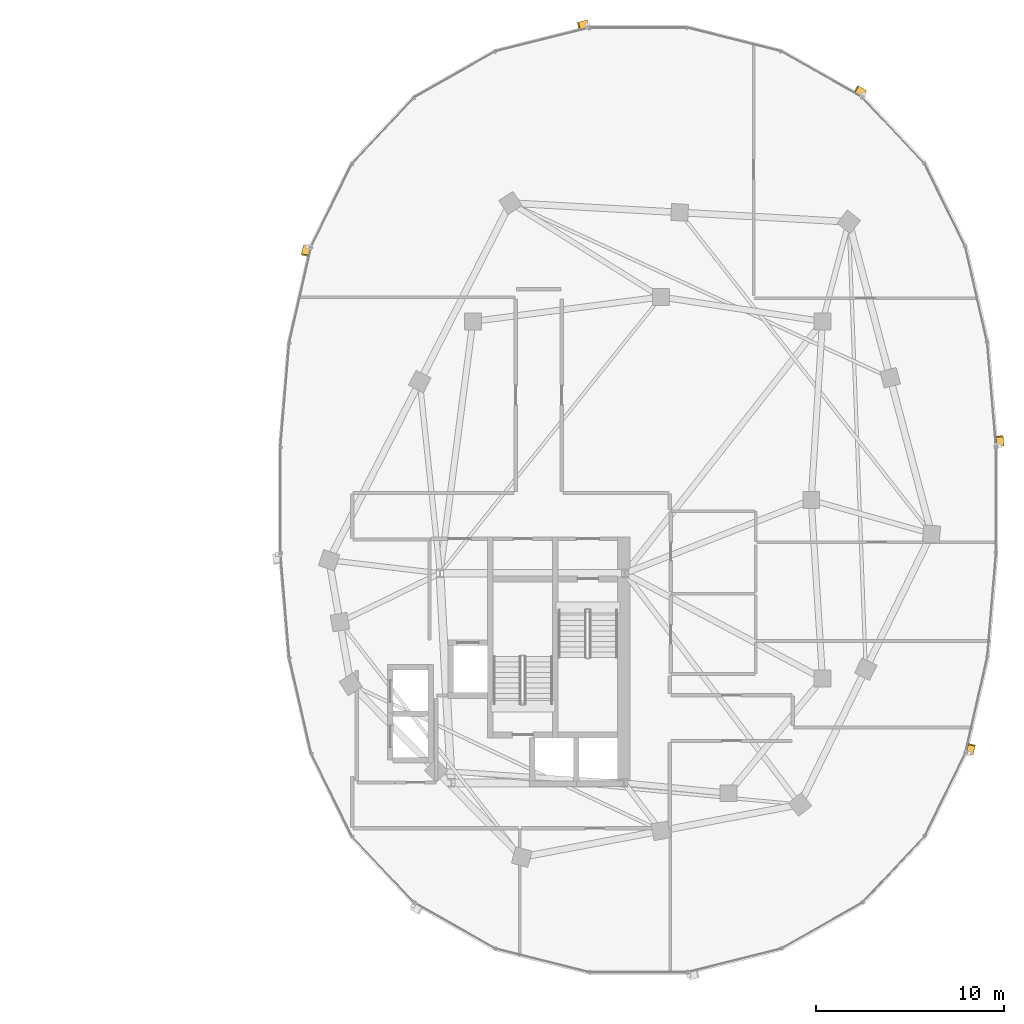
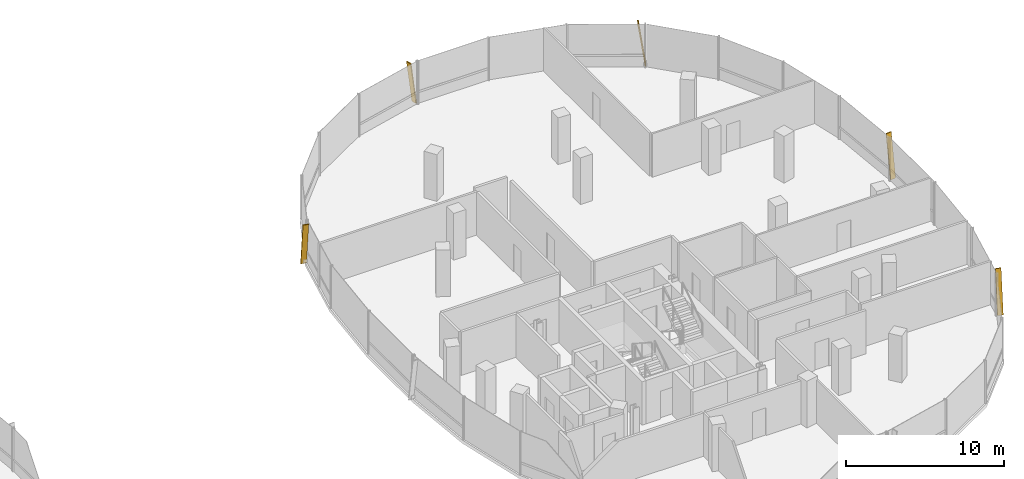
# One storey, part 25 of 25: 5 shading devices.
"""IFC4 building model written with IfcOpenShell, lengths in metres."""

from ifc_helpers import new_model, si_unit, direction, frame, origin, origin_2d, place, context, subcontext, project, spatial, rectangle, extrude, material, material_profile, profile_set, type_object, element, save


model = new_model("IFC4")

# Units and contexts
model_context = context("Model", 3, precision=1e-05, world=origin(), true_north=direction((0.0, 1.0)))
body_context = subcontext(model_context, "Body", "Model", "MODEL_VIEW")
ifc_project = project(units=[si_unit("LENGTHUNIT", "METRE"), si_unit("AREAUNIT", "SQUARE_METRE"), si_unit("VOLUMEUNIT", "CUBIC_METRE"), si_unit("PLANEANGLEUNIT", "RADIAN"), si_unit("MASSUNIT", "GRAM", prefix="KILO"), si_unit("THERMODYNAMICTEMPERATUREUNIT", "KELVIN"), si_unit("POWERUNIT", "WATT")], contexts=[model_context])

# Site, building, storey
site_placement = place(None, origin())
site = spatial("IfcSite", under=ifc_project, at=site_placement, CompositionType="ELEMENT")
building_placement = place(site_placement, origin())
building = spatial("IfcBuilding", under=site, at=building_placement, Name="Cundina Bronze Exchange", CompositionType="ELEMENT")
storey_placement = place(building_placement, frame((0.0, 0.0, 217.0)))
storey = spatial("IfcBuildingStorey", under=building, at=storey_placement, Name="L57", CompositionType="ELEMENT", Elevation=217.0)

# Shading devices
ifc_material = material(Name="Anodised Bronze Aluminium 6063-T6", Category="aluminium")
ifc_material_profile = material_profile(ifc_material, rectangle(XDim=0.070068359375, YDim=0.3798828125, at=origin_2d()), Name="FIN70X380", Category="aluminium")
ifc_profile_set = profile_set([ifc_material_profile], Name="Anodised Bronze Aluminium 6063-T6")
shading_device_type = type_object("IfcShadingDeviceType", Name="SHD-FIN-BRZ380", PredefinedType="USERDEFINED", material=ifc_profile_set)
for number, where, z_axis, x_axis, name in (
    (1, (51.264404296875, 2.90283203125, 0.02001953125), (-0.012006555776, 0.143419772964, 0.98958911238), (0.082555834947, -0.986139516224, 0.143921466983), "L57 Diagonal Bronze Solar Fin 1"),
    (2, (44.015625, 21.635498046875, 0.02001953125), (-0.125189514072, 0.071087145125, 0.989582843103), (0.860526986551, -0.488638423358, 0.143964567292), "L57 Diagonal Bronze Solar Fin 5"),
    (3, (29.294189453125, 25.344482421875, 0.02001953125), (-0.139611891367, -0.03514090606, 0.989582556693), (0.959650042543, 0.24154799183, 0.143966536007), "L57 Diagonal Bronze Solar Fin 1"),
    (4, (14.363037109375, 13.4931640625, 0.02001953125), (-0.032139238682, -0.140343782583, 0.989581068951), (0.220899412839, 0.964610875656, 0.14397676192), "L57 Diagonal Bronze Solar Fin 5"),
    (5, (49.636962890625, -13.4931640625, 0.02001953125), (0.032139238682, 0.140343782583, 0.989581068951), (-0.220899412839, -0.964610875656, 0.14397676192), "L57 Diagonal Bronze Solar Fin 5"),
):
    element("IfcShadingDevice", number, at=place(storey_placement, frame(where, z_axis=z_axis, x_axis=x_axis)), inside=storey, type_object=shading_device_type, Name=name, ObjectType="FIN", PredefinedType="USERDEFINED", context=body_context, shape_type="SweptSolid", body=[
        extrude(rectangle(XDim=0.070068359375, YDim=0.3798828125, at=origin_2d()), origin(), (0.0, 0.0, 1.0), 3.334716796875),
    ])

save(model, "model.ifc")
